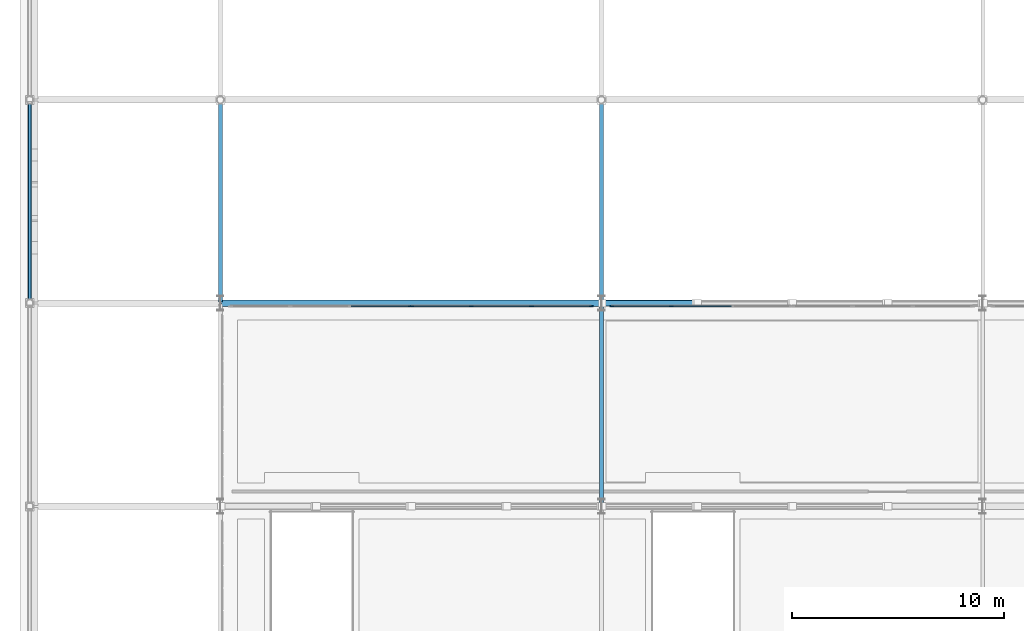
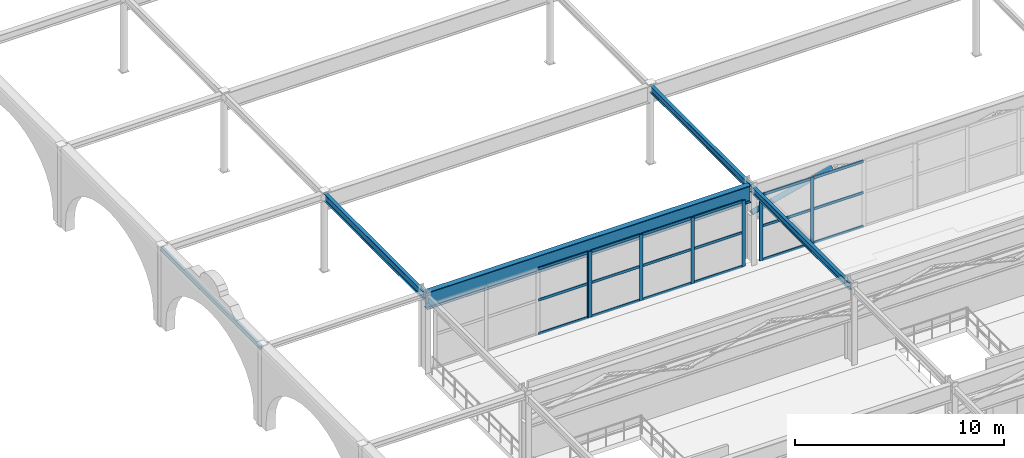
# One storey, part 42 of 125: 26 members, 5 beams, 3 elements without a shape of their own.
"""IFC4 building model written with IfcOpenShell, lengths in metres."""

from ifc_helpers import new_model, si_unit, direction, frame, origin, origin_2d, place, context, subcontext, project, spatial, rectangle, hollow_rectangle, hollow_circle, i_section, extrude, material, layer, layer_set, material_profile, profile_set, type_object, element, aggregate, save


model = new_model("IFC4")

# Units and contexts
model_context = context("Model", 3, precision=1e-05, world=origin(), true_north=direction((0.0, 1.0)))
body_context = subcontext(model_context, "Body", "Model", "MODEL_VIEW")
ifc_project = project(units=[si_unit("LENGTHUNIT", "METRE"), si_unit("AREAUNIT", "SQUARE_METRE"), si_unit("VOLUMEUNIT", "CUBIC_METRE"), si_unit("PLANEANGLEUNIT", "RADIAN"), si_unit("MASSUNIT", "GRAM", prefix="KILO")], contexts=[model_context])

# Site, building, storey
site_placement = place(None, origin())
site = spatial("IfcSite", under=ifc_project, at=site_placement, CompositionType="ELEMENT")
building_placement = place(site_placement, origin())
building = spatial("IfcBuilding", under=site, at=building_placement, Name="Myrtia Square Station", CompositionType="ELEMENT")
storey_placement = place(building_placement, frame((0.0, 0.0, 6.0)))
storey = spatial("IfcBuildingStorey", under=building, at=storey_placement, Name="L01", CompositionType="ELEMENT", Elevation=6.0)

# Beams
ifc_material_1 = material(Name="Steel S355", Category="steel")
ifc_material_profile_1 = material_profile(ifc_material_1, i_section(OverallWidth=0.179931640625, OverallDepth=0.39990234375, WebThickness=0.008544921875, FlangeThickness=0.013427734375, FilletRadius=0.02099609375, at=origin_2d()), Name="IPE 400")
ifc_profile_set_1 = profile_set([ifc_material_profile_1], Name="Steel S355")
beam_type_1 = type_object("IfcBeamType", Name="BM-IPE400", PredefinedType="BEAM", material=ifc_profile_set_1)
for number, where, z_axis, x_axis, name in (
    (1, (27.0, 76.85009765625, 4.35498046875), (0.0, 1.0, 0.0), (-1.0, 0.0, 0.0), "Structural girder BMY-L01-0503"),
    (2, (27.0, 86.449951171875, 4.35498046875), (0.0, 1.0, 0.0), (-1.0, 0.0, 0.0), "Structural girder BMY-L01-0504"),
):
    element("IfcBeam", number, at=place(storey_placement, frame(where, z_axis=z_axis, x_axis=x_axis)), inside=storey, type_object=beam_type_1, Name=name, PredefinedType="BEAM", context=body_context, shape_type="SweptSolid", body=[
        extrude(i_section(OverallWidth=0.179931640625, OverallDepth=0.39990234375, WebThickness=0.008544921875, FlangeThickness=0.013427734375, FilletRadius=0.02099609375, at=origin_2d()), origin(), (0.0, 0.0, 1.0), 9.5),
    ])
ifc_material_profile_2 = material_profile(ifc_material_1, i_section(OverallWidth=0.18994140625, OverallDepth=0.449951171875, WebThickness=0.009521484375, FlangeThickness=0.0146484375, FilletRadius=0.02099609375, at=origin_2d()), Name="IPE 450")
ifc_profile_set_2 = profile_set([ifc_material_profile_2], Name="Steel S355")
beam_type_2 = type_object("IfcBeamType", Name="BM-IPE450", PredefinedType="BEAM", material=ifc_profile_set_2)
beam_1_placement = place(storey_placement, frame((9.0, 86.449951171875, 4.330078125), z_axis=(0.0, 1.0, 0.0), x_axis=(-1.0, 0.0, 0.0)))
element("IfcBeam", 3, at=beam_1_placement, inside=storey, type_object=beam_type_2, Name="Structural girder BMY-L01-0492", PredefinedType="BEAM", context=body_context, shape_type="SweptSolid", body=[
    extrude(i_section(OverallWidth=0.18994140625, OverallDepth=0.449951171875, WebThickness=0.009521484375, FlangeThickness=0.0146484375, FilletRadius=0.02099609375, at=origin_2d()), origin(), (0.0, 0.0, 1.0), 9.5),
])

# Member
ifc_material_profile_3 = material_profile(ifc_material_1, hollow_circle(Radius=0.136474609375, WallThickness=0.01611328125, at=origin_2d()), Name="CHS 273x16")
ifc_profile_set_3 = profile_set([ifc_material_profile_3], Name="Steel S355")
member_type_1 = type_object("IfcMemberType", Name="BRC-CHS273", PredefinedType="BRACE", material=ifc_profile_set_3)
member_1_placement = place(storey_placement, frame((27.0400390625, 86.39990234375, 2.85009765625), z_axis=(0.97040677758, 0.0, 0.241476056838), x_axis=(0.0, 1.0, 0.0)))
element("IfcMember", 4, at=member_1_placement, inside=storey, type_object=member_type_1, Name="Warren roof truss 06 diagonal 1", PredefinedType="BRACE", context=body_context, shape_type="SweptSolid", body=[
    extrude(hollow_circle(Radius=0.136474609375, WallThickness=0.01611328125, at=origin_2d()), origin(), (0.0, 0.0, 1.0), 4.5546875),
])

# Curtain wall, member
ifc_material_2 = material(Name="Dark bronze anodised aluminium", Category="aluminium")
ifc_layer = layer(ifc_material_2, 0.159912109375, Name="Dark bronze anodised aluminium")
ifc_layer_set = layer_set([ifc_layer], Name="Dark bronze anodised aluminium")
curtain_wall_type = type_object("IfcCurtainWallType", Name="CW-TYPE-19-855x385", PredefinedType="USERDEFINED", material=ifc_layer_set)
curtain_wall_1_placement = place(storey_placement, origin())
curtain_wall_1 = element("IfcCurtainWall", 5, at=curtain_wall_1_placement, inside=storey, type_object=curtain_wall_type, Name="Concourse curtain wall CW-L01-060", ObjectType="CONCOURSE CURTAIN WALL", PredefinedType="USERDEFINED")
ifc_material_profile_4 = material_profile(ifc_material_2, rectangle(XDim=0.06494140625, YDim=0.199951171875, at=origin_2d()), Name="ALU-M 65x200")
ifc_profile_set_4 = profile_set([ifc_material_profile_4], Name="Dark bronze anodised aluminium")
member_type_2 = type_object("IfcMemberType", Name="CWM-65x200", PredefinedType="MULLION", material=ifc_profile_set_4)
member_2_placement = place(storey_placement, frame((17.967529296875, 86.25, 0.0), z_axis=(0.0, 0.0, 1.0), x_axis=(0.0, 1.0, 0.0)))
member_2 = element("IfcMember", 6, at=member_2_placement, type_object=member_type_2, Name="CW-060 mullion 4", PredefinedType="MULLION", context=body_context, shape_type="SweptSolid", body=[
    extrude(rectangle(XDim=0.06494140625, YDim=0.199951171875, at=origin_2d()), origin(), (0.0, 0.0, 1.0), 3.85009765625),
])

# Curtain wall, members
curtain_wall_2_placement = place(storey_placement, origin())
curtain_wall_2 = element("IfcCurtainWall", 7, at=curtain_wall_2_placement, inside=storey, type_object=curtain_wall_type, Name="Concourse curtain wall CW-L01-062", ObjectType="CONCOURSE CURTAIN WALL", PredefinedType="USERDEFINED")
member_3_placement = place(storey_placement, frame((18.032470703125, 86.25, 0.0), z_axis=(0.0, 0.0, 1.0), x_axis=(0.0, 1.0, 0.0)))
member_3 = element("IfcMember", 8, at=member_3_placement, type_object=member_type_2, Name="CW-062 mullion 1", PredefinedType="MULLION", context=body_context, shape_type="SweptSolid", body=[
    extrude(rectangle(XDim=0.06494140625, YDim=0.199951171875, at=origin_2d()), origin(), (0.0, 0.0, 1.0), 3.85009765625),
])
member_4_placement = place(storey_placement, frame((20.85009765625, 86.25, 0.0), z_axis=(0.0, 0.0, 1.0), x_axis=(0.0, 1.0, 0.0)))
member_4 = element("IfcMember", 9, at=member_4_placement, type_object=member_type_2, Name="CW-062 mullion 2", PredefinedType="MULLION", context=body_context, shape_type="SweptSolid", body=[
    extrude(rectangle(XDim=0.06494140625, YDim=0.199951171875, at=origin_2d()), origin(), (0.0, 0.0, 1.0), 3.85009765625),
])
member_5_placement = place(storey_placement, frame((23.699951171875, 86.25, 0.0), z_axis=(0.0, 0.0, 1.0), x_axis=(0.0, 1.0, 0.0)))
member_5 = element("IfcMember", 10, at=member_5_placement, type_object=member_type_2, Name="CW-062 mullion 3", PredefinedType="MULLION", context=body_context, shape_type="SweptSolid", body=[
    extrude(rectangle(XDim=0.06494140625, YDim=0.199951171875, at=origin_2d()), origin(), (0.0, 0.0, 1.0), 3.85009765625),
])
member_6_placement = place(storey_placement, frame((26.517578125, 86.25, 0.0), z_axis=(0.0, 0.0, 1.0), x_axis=(0.0, 1.0, 0.0)))
member_6 = element("IfcMember", 11, at=member_6_placement, type_object=member_type_2, Name="CW-062 mullion 4", PredefinedType="MULLION", context=body_context, shape_type="SweptSolid", body=[
    extrude(rectangle(XDim=0.06494140625, YDim=0.199951171875, at=origin_2d()), origin(), (0.0, 0.0, 1.0), 3.85009765625),
])

curtain_wall_3_placement = place(storey_placement, origin())
curtain_wall_3 = element("IfcCurtainWall", 12, at=curtain_wall_3_placement, inside=storey, type_object=curtain_wall_type, Name="Concourse curtain wall CW-L01-064", ObjectType="CONCOURSE CURTAIN WALL", PredefinedType="USERDEFINED")
member_7_placement = place(storey_placement, frame((27.482421875, 86.25, 0.0), z_axis=(0.0, 0.0, 1.0), x_axis=(0.0, 1.0, 0.0)))
member_7 = element("IfcMember", 13, at=member_7_placement, type_object=member_type_2, Name="CW-064 mullion 1", PredefinedType="MULLION", context=body_context, shape_type="SweptSolid", body=[
    extrude(rectangle(XDim=0.06494140625, YDim=0.199951171875, at=origin_2d()), origin(), (0.0, 0.0, 1.0), 3.85009765625),
])
member_8_placement = place(storey_placement, frame((30.300048828125, 86.25, 0.0), z_axis=(0.0, 0.0, 1.0), x_axis=(0.0, 1.0, 0.0)))
member_8 = element("IfcMember", 14, at=member_8_placement, type_object=member_type_2, Name="CW-064 mullion 2", PredefinedType="MULLION", context=body_context, shape_type="SweptSolid", body=[
    extrude(rectangle(XDim=0.06494140625, YDim=0.199951171875, at=origin_2d()), origin(), (0.0, 0.0, 1.0), 3.85009765625),
])

# Member
ifc_material_profile_5 = material_profile(ifc_material_2, rectangle(XDim=0.06494140625, YDim=0.14990234375, at=origin_2d()), Name="ALU-T 65x150")
ifc_profile_set_5 = profile_set([ifc_material_profile_5], Name="Dark bronze anodised aluminium")
member_type_3 = type_object("IfcMemberType", Name="CWT-65x150", PredefinedType="USERDEFINED", material=ifc_profile_set_5)
member_9_placement = place(storey_placement, frame((15.1826171875, 86.25, 0.032470703125), z_axis=(1.0, 0.0, 0.0), x_axis=(0.0, 1.0, 0.0)))
member_9 = element("IfcMember", 15, at=member_9_placement, type_object=member_type_3, Name="CW-060 transom 3.1", ObjectType="TRANSOM", PredefinedType="USERDEFINED", context=body_context, shape_type="SweptSolid", body=[
    extrude(rectangle(XDim=0.06494140625, YDim=0.14990234375, at=origin_2d()), origin(), (0.0, 0.0, 1.0), 2.75244140625),
])

member_10_placement = place(storey_placement, frame((15.1826171875, 86.25, 2.001953125), z_axis=(1.0, 0.0, 0.0), x_axis=(0.0, 1.0, 0.0)))
member_10 = element("IfcMember", 16, at=member_10_placement, type_object=member_type_3, Name="CW-060 transom 3.2", ObjectType="TRANSOM", PredefinedType="USERDEFINED", context=body_context, shape_type="SweptSolid", body=[
    extrude(rectangle(XDim=0.06494140625, YDim=0.14990234375, at=origin_2d()), origin(), (0.0, 0.0, 1.0), 2.75244140625),
])

member_11_placement = place(storey_placement, frame((15.1826171875, 86.25, 3.8173828125), z_axis=(1.0, 0.0, 0.0), x_axis=(0.0, 1.0, 0.0)))
member_11 = element("IfcMember", 17, at=member_11_placement, type_object=member_type_3, Name="CW-060 transom 3.3", ObjectType="TRANSOM", PredefinedType="USERDEFINED", context=body_context, shape_type="SweptSolid", body=[
    extrude(rectangle(XDim=0.06494140625, YDim=0.14990234375, at=origin_2d()), origin(), (0.0, 0.0, 1.0), 2.75244140625),
])

aggregate(curtain_wall_1, [member_2, member_9, member_10, member_11])

member_12_placement = place(storey_placement, frame((18.06494140625, 86.25, 0.032470703125), z_axis=(1.0, 0.0, 0.0), x_axis=(0.0, 1.0, 0.0)))
member_12 = element("IfcMember", 18, at=member_12_placement, type_object=member_type_3, Name="CW-062 transom 1.1", ObjectType="TRANSOM", PredefinedType="USERDEFINED", context=body_context, shape_type="SweptSolid", body=[
    extrude(rectangle(XDim=0.06494140625, YDim=0.14990234375, at=origin_2d()), origin(), (0.0, 0.0, 1.0), 2.75244140625),
])

member_13_placement = place(storey_placement, frame((18.06494140625, 86.25, 2.001953125), z_axis=(1.0, 0.0, 0.0), x_axis=(0.0, 1.0, 0.0)))
member_13 = element("IfcMember", 19, at=member_13_placement, type_object=member_type_3, Name="CW-062 transom 1.2", ObjectType="TRANSOM", PredefinedType="USERDEFINED", context=body_context, shape_type="SweptSolid", body=[
    extrude(rectangle(XDim=0.06494140625, YDim=0.14990234375, at=origin_2d()), origin(), (0.0, 0.0, 1.0), 2.75244140625),
])

member_14_placement = place(storey_placement, frame((18.06494140625, 86.25, 3.8173828125), z_axis=(1.0, 0.0, 0.0), x_axis=(0.0, 1.0, 0.0)))
member_14 = element("IfcMember", 20, at=member_14_placement, type_object=member_type_3, Name="CW-062 transom 1.3", ObjectType="TRANSOM", PredefinedType="USERDEFINED", context=body_context, shape_type="SweptSolid", body=[
    extrude(rectangle(XDim=0.06494140625, YDim=0.14990234375, at=origin_2d()), origin(), (0.0, 0.0, 1.0), 2.75244140625),
])

member_15_placement = place(storey_placement, frame((20.882568359375, 86.25, 0.032470703125), z_axis=(1.0, 0.0, 0.0), x_axis=(0.0, 1.0, 0.0)))
member_15 = element("IfcMember", 21, at=member_15_placement, type_object=member_type_3, Name="CW-062 transom 2.1", ObjectType="TRANSOM", PredefinedType="USERDEFINED", context=body_context, shape_type="SweptSolid", body=[
    extrude(rectangle(XDim=0.06494140625, YDim=0.14990234375, at=origin_2d()), origin(), (0.0, 0.0, 1.0), 2.784912109375),
])

member_16_placement = place(storey_placement, frame((20.882568359375, 86.25, 2.001953125), z_axis=(1.0, 0.0, 0.0), x_axis=(0.0, 1.0, 0.0)))
member_16 = element("IfcMember", 22, at=member_16_placement, type_object=member_type_3, Name="CW-062 transom 2.2", ObjectType="TRANSOM", PredefinedType="USERDEFINED", context=body_context, shape_type="SweptSolid", body=[
    extrude(rectangle(XDim=0.06494140625, YDim=0.14990234375, at=origin_2d()), origin(), (0.0, 0.0, 1.0), 2.784912109375),
])

member_17_placement = place(storey_placement, frame((20.882568359375, 86.25, 3.8173828125), z_axis=(1.0, 0.0, 0.0), x_axis=(0.0, 1.0, 0.0)))
member_17 = element("IfcMember", 23, at=member_17_placement, type_object=member_type_3, Name="CW-062 transom 2.3", ObjectType="TRANSOM", PredefinedType="USERDEFINED", context=body_context, shape_type="SweptSolid", body=[
    extrude(rectangle(XDim=0.06494140625, YDim=0.14990234375, at=origin_2d()), origin(), (0.0, 0.0, 1.0), 2.784912109375),
])

member_18_placement = place(storey_placement, frame((23.732421875, 86.25, 0.032470703125), z_axis=(1.0, 0.0, 0.0), x_axis=(0.0, 1.0, 0.0)))
member_18 = element("IfcMember", 24, at=member_18_placement, type_object=member_type_3, Name="CW-062 transom 3.1", ObjectType="TRANSOM", PredefinedType="USERDEFINED", context=body_context, shape_type="SweptSolid", body=[
    extrude(rectangle(XDim=0.06494140625, YDim=0.14990234375, at=origin_2d()), origin(), (0.0, 0.0, 1.0), 2.752685546875),
])

member_19_placement = place(storey_placement, frame((23.732421875, 86.25, 2.001953125), z_axis=(1.0, 0.0, 0.0), x_axis=(0.0, 1.0, 0.0)))
member_19 = element("IfcMember", 25, at=member_19_placement, type_object=member_type_3, Name="CW-062 transom 3.2", ObjectType="TRANSOM", PredefinedType="USERDEFINED", context=body_context, shape_type="SweptSolid", body=[
    extrude(rectangle(XDim=0.06494140625, YDim=0.14990234375, at=origin_2d()), origin(), (0.0, 0.0, 1.0), 2.752685546875),
])

member_20_placement = place(storey_placement, frame((23.732421875, 86.25, 3.8173828125), z_axis=(1.0, 0.0, 0.0), x_axis=(0.0, 1.0, 0.0)))
member_20 = element("IfcMember", 26, at=member_20_placement, type_object=member_type_3, Name="CW-062 transom 3.3", ObjectType="TRANSOM", PredefinedType="USERDEFINED", context=body_context, shape_type="SweptSolid", body=[
    extrude(rectangle(XDim=0.06494140625, YDim=0.14990234375, at=origin_2d()), origin(), (0.0, 0.0, 1.0), 2.752685546875),
])

aggregate(curtain_wall_2, [member_3, member_4, member_5, member_6, member_12, member_13, member_14, member_15, member_16, member_17, member_18, member_19, member_20])

member_21_placement = place(storey_placement, frame((27.514892578125, 86.25, 0.032470703125), z_axis=(1.0, 0.0, 0.0), x_axis=(0.0, 1.0, 0.0)))
member_21 = element("IfcMember", 27, at=member_21_placement, type_object=member_type_3, Name="CW-064 transom 1.1", ObjectType="TRANSOM", PredefinedType="USERDEFINED", context=body_context, shape_type="SweptSolid", body=[
    extrude(rectangle(XDim=0.06494140625, YDim=0.14990234375, at=origin_2d()), origin(), (0.0, 0.0, 1.0), 2.752685546875),
])

member_22_placement = place(storey_placement, frame((27.514892578125, 86.25, 2.001953125), z_axis=(1.0, 0.0, 0.0), x_axis=(0.0, 1.0, 0.0)))
member_22 = element("IfcMember", 28, at=member_22_placement, type_object=member_type_3, Name="CW-064 transom 1.2", ObjectType="TRANSOM", PredefinedType="USERDEFINED", context=body_context, shape_type="SweptSolid", body=[
    extrude(rectangle(XDim=0.06494140625, YDim=0.14990234375, at=origin_2d()), origin(), (0.0, 0.0, 1.0), 2.752685546875),
])

member_23_placement = place(storey_placement, frame((27.514892578125, 86.25, 3.8173828125), z_axis=(1.0, 0.0, 0.0), x_axis=(0.0, 1.0, 0.0)))
member_23 = element("IfcMember", 29, at=member_23_placement, type_object=member_type_3, Name="CW-064 transom 1.3", ObjectType="TRANSOM", PredefinedType="USERDEFINED", context=body_context, shape_type="SweptSolid", body=[
    extrude(rectangle(XDim=0.06494140625, YDim=0.14990234375, at=origin_2d()), origin(), (0.0, 0.0, 1.0), 2.752685546875),
])

member_24_placement = place(storey_placement, frame((30.33251953125, 86.25, 0.032470703125), z_axis=(1.0, 0.0, 0.0), x_axis=(0.0, 1.0, 0.0)))
member_24 = element("IfcMember", 30, at=member_24_placement, type_object=member_type_3, Name="CW-064 transom 2.1", ObjectType="TRANSOM", PredefinedType="USERDEFINED", context=body_context, shape_type="SweptSolid", body=[
    extrude(rectangle(XDim=0.06494140625, YDim=0.14990234375, at=origin_2d()), origin(), (0.0, 0.0, 1.0), 2.784912109375),
])

member_25_placement = place(storey_placement, frame((30.33251953125, 86.25, 2.001953125), z_axis=(1.0, 0.0, 0.0), x_axis=(0.0, 1.0, 0.0)))
member_25 = element("IfcMember", 31, at=member_25_placement, type_object=member_type_3, Name="CW-064 transom 2.2", ObjectType="TRANSOM", PredefinedType="USERDEFINED", context=body_context, shape_type="SweptSolid", body=[
    extrude(rectangle(XDim=0.06494140625, YDim=0.14990234375, at=origin_2d()), origin(), (0.0, 0.0, 1.0), 2.784912109375),
])

member_26_placement = place(storey_placement, frame((30.33251953125, 86.25, 3.8173828125), z_axis=(1.0, 0.0, 0.0), x_axis=(0.0, 1.0, 0.0)))
member_26 = element("IfcMember", 32, at=member_26_placement, type_object=member_type_3, Name="CW-064 transom 2.3", ObjectType="TRANSOM", PredefinedType="USERDEFINED", context=body_context, shape_type="SweptSolid", body=[
    extrude(rectangle(XDim=0.06494140625, YDim=0.14990234375, at=origin_2d()), origin(), (0.0, 0.0, 1.0), 2.784912109375),
])

aggregate(curtain_wall_3, [member_7, member_8, member_21, member_22, member_23, member_24, member_25, member_26])

# Beams
ifc_material_profile_6 = material_profile(ifc_material_1, hollow_rectangle(XDim=0.14990234375, YDim=0.25, WallThickness=0.012451171875, InnerFilletRadius=0.012451171875, OuterFilletRadius=0.02490234375, at=origin_2d()), Name="RHS 250x150x12.5")
ifc_profile_set_6 = profile_set([ifc_material_profile_6], Name="Steel S355")
beam_type_3 = type_object("IfcBeamType", Name="SPN-RHS250", PredefinedType="SPANDREL", material=ifc_profile_set_6)
beam_2_placement = place(storey_placement, frame((0.0, 86.449951171875, 4.429931640625), z_axis=(0.0, 1.0, 0.0), x_axis=(-1.0, 0.0, 0.0)))
element("IfcBeam", 33, at=beam_2_placement, inside=storey, type_object=beam_type_3, Name="Structural girder SPNY-L01-0148", PredefinedType="SPANDREL", context=body_context, shape_type="SweptSolid", body=[
    extrude(hollow_rectangle(XDim=0.14990234375, YDim=0.25, WallThickness=0.012451171875, InnerFilletRadius=0.012451171875, OuterFilletRadius=0.02490234375, at=origin_2d()), origin(), (0.0, 0.0, 1.0), 9.5),
])
ifc_material_profile_7 = material_profile(ifc_material_1, i_section(OverallWidth=0.300048828125, OverallDepth=1.0, WebThickness=0.01904296875, FlangeThickness=0.035888671875, FilletRadius=0.030029296875, at=origin_2d()), Name="HEB 1000")
ifc_profile_set_7 = profile_set([ifc_material_profile_7], Name="Steel S355")
beam_type_4 = type_object("IfcBeamType", Name="TG-HEB1000", PredefinedType="USERDEFINED", material=ifc_profile_set_7)
beam_3_placement = place(storey_placement, frame((9.050048828125, 86.39990234375, 4.054931640625), z_axis=(1.0, 0.0, 0.0), x_axis=(0.0, 1.0, 0.0)))
element("IfcBeam", 34, at=beam_3_placement, inside=storey, type_object=beam_type_4, Name="Structural girder TG-L01-0124", ObjectType="TRANSFER GIRDER", PredefinedType="USERDEFINED", context=body_context, shape_type="SweptSolid", body=[
    extrude(i_section(OverallWidth=0.300048828125, OverallDepth=1.0, WebThickness=0.01904296875, FlangeThickness=0.035888671875, FilletRadius=0.030029296875, at=origin_2d()), origin(), (0.0, 0.0, 1.0), 17.89990234375),
])

save(model, "model.ifc")
